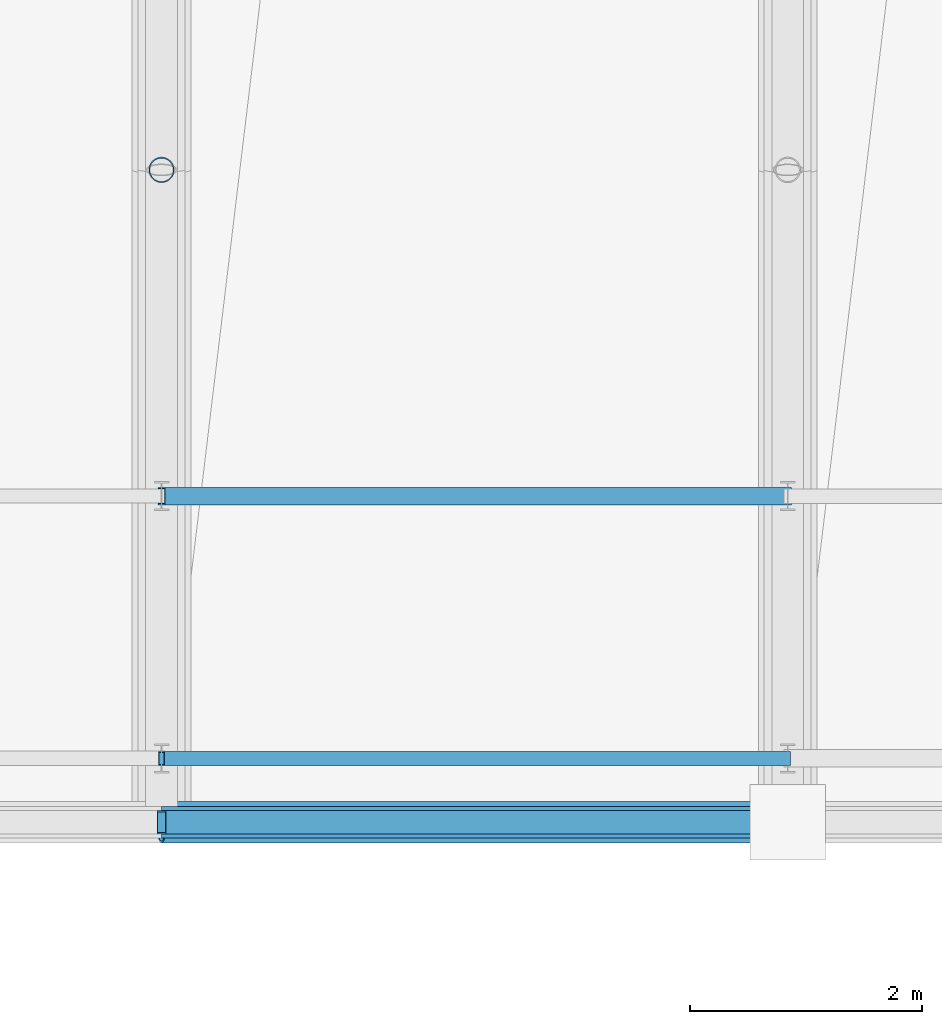
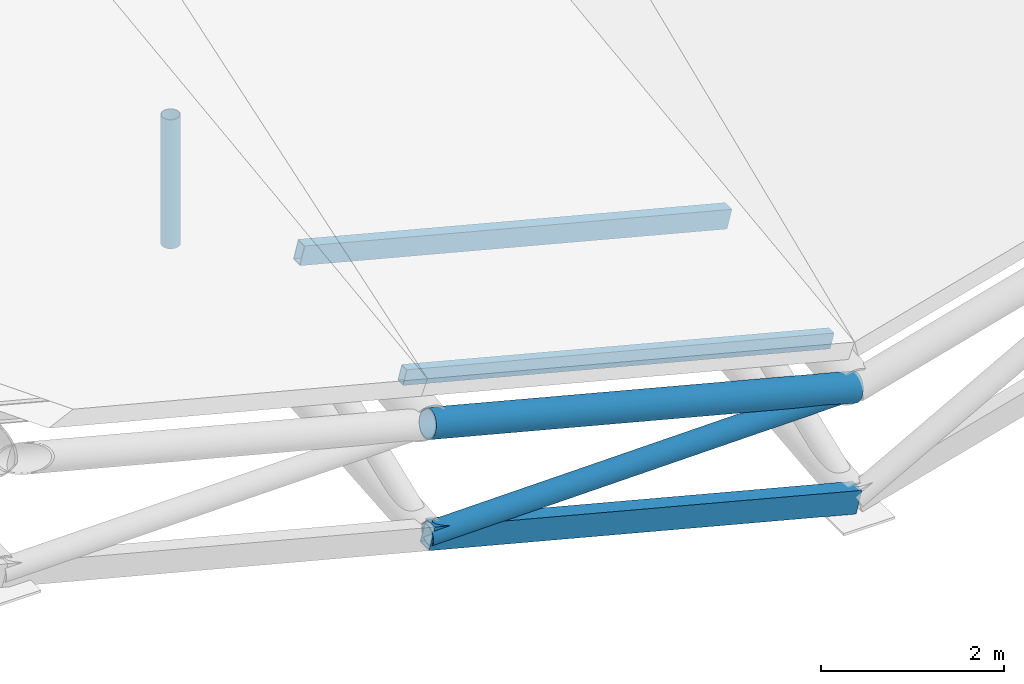
# One storey, part 8 of 109: 6 members.
"""IFC4 building model written with IfcOpenShell, lengths in metres."""

import ifcopenshell
import ifcopenshell.guid

model = None  # the IFC model being written
_history = None  # IfcOwnerHistory: only IFC2X3 demands one
_inside = {}  # id of a spatial element -> (the spatial element, [elements in it])
_under = {}  # id of a project, library or spatial element -> (it, [spatial elements below it])
_declared = {}  # id of a project -> (the project, [libraries it declares])
_typed = {}  # id of a type object -> (the type object, [elements of that type])
_made_of = {}  # id of a material, layer set ... -> (it, [elements and type objects made of it])


def new_model(schema):
    """Start an empty IFC model of exactly this schema.

    Asked for "IFC4X3", IfcOpenShell would pick the latest addendum, in which some entities
    have other attributes; the version numbers below select the first issue.
    IFC2X3 requires an IfcOwnerHistory on every rooted entity: one is made here for all.
    """
    global model, _history
    if schema == "IFC4X3":
        model = ifcopenshell.file(schema_version=(4, 3, 0, 0))
    else:
        model = ifcopenshell.file(schema=schema)
    _inside.clear()
    _under.clear()
    _declared.clear()
    _typed.clear()
    _made_of.clear()
    _history = None
    if model.schema == "IFC2X3":
        org = make("IfcOrganization", Name="unknown")
        user = make(
            "IfcPersonAndOrganization",
            ThePerson=make("IfcPerson", FamilyName="unknown"),
            TheOrganization=org,
        )
        app = make(
            "IfcApplication",
            ApplicationDeveloper=org,
            Version="unknown",
            ApplicationFullName="unknown",
            ApplicationIdentifier="unknown",
        )
        _history = make(
            "IfcOwnerHistory",
            OwningUser=user,
            OwningApplication=app,
            ChangeAction="ADDED",
            CreationDate=0,
        )
    return model


def make(cls, **values):
    """One entity of the class cls with the attributes given. An attribute that is None is left unset."""
    return model.create_entity(
        cls, **{name: value for name, value in values.items() if value is not None}
    )


def rooted(cls, **values):
    """An entity with a GlobalId (a new one), such as an element, a storey or a relation."""
    return make(cls, GlobalId=ifcopenshell.guid.new(), OwnerHistory=_history, **values)


def si_unit(unit_type, name, prefix=None):
    """IfcSIUnit, for example si_unit("LENGTHUNIT", "METRE", prefix="MILLI")."""
    return make("IfcSIUnit", UnitType=unit_type, Prefix=prefix, Name=name)


def assignment(units):
    """IfcUnitAssignment: the units of a project."""
    return None if units is None else make("IfcUnitAssignment", Units=units)


def point(xyz):
    """IfcCartesianPoint."""
    return None if xyz is None else make("IfcCartesianPoint", Coordinates=xyz)


def direction(xyz):
    """IfcDirection."""
    return None if xyz is None else make("IfcDirection", DirectionRatios=xyz)


def frame(location, z_axis=None, x_axis=None):
    """IfcAxis2Placement3D, a coordinate frame: its origin and axes. An axis left out is left unset."""
    return make(
        "IfcAxis2Placement3D",
        Location=point(location),
        Axis=direction(z_axis),
        RefDirection=direction(x_axis),
    )


def frame_2d(location, x_axis=None):
    """IfcAxis2Placement2D, a coordinate frame in the plane: its origin and x axis."""
    return make(
        "IfcAxis2Placement2D", Location=point(location), RefDirection=direction(x_axis)
    )


def origin():
    """The frame at (0, 0, 0) with its axes left unset."""
    return frame((0.0, 0.0, 0.0))


def origin_2d():
    """The frame at (0, 0) in the plane with its x axis left unset."""
    return frame_2d((0.0, 0.0))


def place(relative_to, where):
    """IfcLocalPlacement: puts the frame where relative to a parent placement (None: the world)."""
    return make(
        "IfcLocalPlacement", PlacementRelTo=relative_to, RelativePlacement=where
    )


def context(
    kind, dimensions, precision=None, world=None, true_north=None, identifier=None
):
    """IfcGeometricRepresentationContext, for example the 3D "Model" context."""
    return make(
        "IfcGeometricRepresentationContext",
        ContextIdentifier=identifier,
        ContextType=kind,
        CoordinateSpaceDimension=dimensions,
        Precision=precision,
        WorldCoordinateSystem=world,
        TrueNorth=true_north,
    )


def subcontext(parent, identifier, kind, view, scale=None):
    """IfcGeometricRepresentationSubContext, for example "Body" below "Model"."""
    return make(
        "IfcGeometricRepresentationSubContext",
        ContextIdentifier=identifier,
        ContextType=kind,
        ParentContext=parent,
        TargetScale=scale,
        TargetView=view,
    )


def project(units=None, contexts=None):
    """IfcProject with its units and contexts."""
    return rooted(
        "IfcProject",
        Name="project",
        RepresentationContexts=contexts,
        UnitsInContext=assignment(units),
    )


def spatial(cls, under=None, at=None, **own):
    """A site, building, storey or space (cls), placed at a placement, below another one or the project."""
    s = rooted(cls, ObjectPlacement=at, **own)
    if under is not None:
        _under.setdefault(under.id(), (under, []))[1].append(s)
    return s


def profile(cls, at=None, kind="AREA", **sizes):
    """A parametric profile (cls). Its sizes go by their IFC names, for example OverallWidth=200.0."""
    return make(cls, ProfileType=kind, Position=at, **sizes)


def hollow_rectangle(**sizes):
    """IfcRectangleHollowProfileDef."""
    return profile("IfcRectangleHollowProfileDef", **sizes)


def hollow_circle(**sizes):
    """IfcCircleHollowProfileDef."""
    return profile("IfcCircleHollowProfileDef", **sizes)


def extrude(swept, where, along, depth):
    """IfcExtrudedAreaSolid: the profile swept, set in the frame where, extruded along a direction by depth."""
    return make(
        "IfcExtrudedAreaSolid",
        SweptArea=swept,
        Position=where,
        ExtrudedDirection=direction(along),
        Depth=depth,
    )


def shape(context_of_items, identifier, shape_type, items):
    """IfcShapeRepresentation: the items that make up one representation, for example the "Body"."""
    return make(
        "IfcShapeRepresentation",
        ContextOfItems=context_of_items,
        RepresentationIdentifier=identifier,
        RepresentationType=shape_type,
        Items=items,
    )


def material(Name=None, Category=None):
    """IfcMaterial."""
    return make("IfcMaterial", Name=Name, Category=Category)


def material_profile(
    of_material, cross_section, Name=None, Category=None, Priority=None
):
    """IfcMaterialProfile: a cross section and its material."""
    return make(
        "IfcMaterialProfile",
        Name=Name,
        Material=of_material,
        Profile=cross_section,
        Priority=Priority,
        Category=Category,
    )


def profile_set(profiles, Name=None, composite=None):
    """IfcMaterialProfileSet."""
    return make(
        "IfcMaterialProfileSet",
        Name=Name,
        MaterialProfiles=profiles,
        CompositeProfile=composite,
    )


def made_of(thing, what):
    """Note that an element or type object is made of a material, layer set ...; save() writes the relation."""
    if what is not None:
        _made_of.setdefault(what.id(), (what, []))[1].append(thing)
    return thing


def type_object(cls, material=None, **own):
    """A type object (cls), such as IfcWallType, which elements share."""
    return made_of(rooted(cls, **own), material)


def element(
    cls,
    number,
    at=None,
    inside=None,
    cuts=None,
    type_object=None,
    material=None,
    context=None,
    identifier="Body",
    shape_type=None,
    held_by="IfcProductDefinitionShape",
    body=None,
    shapes=None,
    **own,
):
    """One element of the class cls, such as IfcWall. Its Tag is "e" and its number.

    at: its placement. inside: the storey or other place that contains it. cuts: it is an
    opening in that element (IfcRelVoidsElement). A single representation is given by context,
    identifier, shape_type and body (its items); several are given by shapes. held_by: the class
    of the entity that holds the representations. save() writes the other relations.
    """
    e = rooted(cls, Tag="e%d" % number, ObjectPlacement=at, **own)
    if body is not None:
        shapes = [shape(context, identifier, shape_type, body)]
    if shapes is not None:
        e.Representation = make(held_by, Representations=shapes)
    if inside is not None:
        _inside.setdefault(inside.id(), (inside, []))[1].append(e)
    if cuts is not None:
        rooted(
            "IfcRelVoidsElement", RelatingBuildingElement=cuts, RelatedOpeningElement=e
        )
    if type_object is not None:
        _typed.setdefault(type_object.id(), (type_object, []))[1].append(e)
    return made_of(e, material)


def aggregate(whole, parts):
    """IfcRelAggregates: a whole, such as a stair, and the parts it consists of."""
    return rooted("IfcRelAggregates", RelatingObject=whole, RelatedObjects=parts)


def save(model, path):
    """Write the relations noted so far, then the file.

    IfcRelAggregates (storeys below a building ...), IfcRelContainedInSpatialStructure (elements
    in a storey), IfcRelDefinesByType, IfcRelAssociatesMaterial and IfcRelDeclares: one each for
    every whole, place, type object, material and project.
    """
    for whole, parts in _under.values():
        aggregate(whole, parts)
    for where, things in _inside.values():
        rooted(
            "IfcRelContainedInSpatialStructure",
            RelatedElements=things,
            RelatingStructure=where,
        )
    for kind, things in _typed.values():
        rooted("IfcRelDefinesByType", RelatedObjects=things, RelatingType=kind)
    for what, things in _made_of.values():
        rooted("IfcRelAssociatesMaterial", RelatedObjects=things, RelatingMaterial=what)
    for by, libraries in _declared.values():
        rooted("IfcRelDeclares", RelatingContext=by, RelatedDefinitions=libraries)
    model.write(path)


model = new_model("IFC4")

# Units and contexts
model_context = context("Model", 3, precision=1e-05, world=origin(), true_north=direction((0.0, 1.0)))
body_context = subcontext(model_context, "Body", "Model", "MODEL_VIEW")
ifc_project = project(units=[si_unit("LENGTHUNIT", "METRE"), si_unit("AREAUNIT", "SQUARE_METRE"), si_unit("VOLUMEUNIT", "CUBIC_METRE"), si_unit("PLANEANGLEUNIT", "RADIAN"), si_unit("MASSUNIT", "GRAM", prefix="KILO")], contexts=[model_context])

# Site, building, storey
site_placement = place(None, origin())
site = spatial("IfcSite", under=ifc_project, at=site_placement, CompositionType="ELEMENT")
building_placement = place(site_placement, origin())
building = spatial("IfcBuilding", under=site, at=building_placement, Name="Suirenkawa Promenade Aquatics Centre", CompositionType="ELEMENT")
storey_placement = place(building_placement, frame((0.0, 0.0, 22.800048828125)))
storey = spatial("IfcBuildingStorey", under=building, at=storey_placement, Name="ROOF", CompositionType="ELEMENT", Elevation=22.800048828125)

# Members
ifc_material = material(Name="Steel IS 2062 E350 (Grade 350)", Category="steel")
ifc_material_profile_1 = material_profile(ifc_material, hollow_circle(Radius=0.177978515625, WallThickness=0.01611328125, at=origin_2d()), Name="CHS 356x16", Category="steel")
ifc_profile_set_1 = profile_set([ifc_material_profile_1], Name="Steel IS 2062 E350 (Grade 350)")
member_type_1 = type_object("IfcMemberType", Name="MT-CHORD-CHS356", PredefinedType="CHORD", material=ifc_profile_set_1)
member_1_placement = place(storey_placement, frame((127.800048828125, 50.39990234375, -13.60009765625), z_axis=(0.968000048288, 0.0, -0.250950007997), x_axis=(0.0, 1.0, 0.0)))
element("IfcMember", 1, at=member_1_placement, inside=storey, type_object=member_type_1, Name="ROOF TRUSS V1 eave top chord CH-02 MB-0613", PredefinedType="CHORD", context=body_context, shape_type="SweptSolid", body=[
    extrude(hollow_circle(Radius=0.177978515625, WallThickness=0.01611328125, at=origin_2d()), origin(), (0.0, 0.0, 1.0), 5.578369140625),
])
ifc_material_profile_2 = material_profile(ifc_material, hollow_rectangle(XDim=0.199951171875, YDim=0.300048828125, WallThickness=0.011962890625, at=origin_2d()), Name="RHS 300x200x12", Category="steel")
ifc_profile_set_2 = profile_set([ifc_material_profile_2], Name="Steel IS 2062 E350 (Grade 350)")
member_type_2 = type_object("IfcMemberType", Name="MT-CHORD-RHS300", PredefinedType="CHORD", material=ifc_profile_set_2)
member_2_placement = place(storey_placement, frame((127.800048828125, 50.39990234375, -15.080078125), z_axis=(0.968000048288, 0.0, -0.250950007997), x_axis=(0.0, 1.0, 0.0)))
element("IfcMember", 2, at=member_2_placement, inside=storey, type_object=member_type_2, Name="ROOF TRUSS V1 eave bottom chord CH-03 MB-0614", PredefinedType="CHORD", context=body_context, shape_type="SweptSolid", body=[
    extrude(hollow_rectangle(XDim=0.199951171875, YDim=0.300048828125, WallThickness=0.011962890625, at=origin_2d()), origin(), (0.0, 0.0, 1.0), 5.578369140625),
])
ifc_material_profile_3 = material_profile(ifc_material, hollow_rectangle(XDim=0.1201171875, YDim=0.199951171875, WallThickness=0.008056640625, at=origin_2d()), Name="RHS 200x120x8", Category="steel")
ifc_profile_set_3 = profile_set([ifc_material_profile_3], Name="Steel IS 2062 E350 (Grade 350)")
member_type_3 = type_object("IfcMemberType", Name="MT-PURLIN-RHS200", PredefinedType="PURLIN", material=ifc_profile_set_3)
member_3_placement = place(storey_placement, frame((127.800048828125, 50.949951171875, -13.282958984375), z_axis=(0.967989416096, 0.0, -0.250991016426), x_axis=(0.0, 1.0, 0.0)))
element("IfcMember", 3, at=member_3_placement, inside=storey, type_object=member_type_3, Name="ROOF TRUSS Roof purlin PU-02 MB-2227", PredefinedType="PURLIN", context=body_context, shape_type="SweptSolid", body=[
    extrude(hollow_rectangle(XDim=0.1201171875, YDim=0.199951171875, WallThickness=0.008056640625, at=origin_2d()), origin(), (0.0, 0.0, 1.0), 5.578369140625),
])
ifc_material_profile_4 = material_profile(ifc_material, hollow_rectangle(XDim=0.14990234375, YDim=0.25, WallThickness=0.010009765625, at=origin_2d()), Name="RHS 250x150x10", Category="steel")
ifc_profile_set_4 = profile_set([ifc_material_profile_4], Name="Steel IS 2062 E350 (Grade 350)")
member_type_4 = type_object("IfcMemberType", Name="MT-PURLIN-RHS250", PredefinedType="PURLIN", material=ifc_profile_set_4)
member_4_placement = place(storey_placement, frame((127.800048828125, 53.2119140625, -13.01806640625), z_axis=(0.968000048288, 0.0, -0.250950007997), x_axis=(0.0, 1.0, 0.0)))
element("IfcMember", 4, at=member_4_placement, inside=storey, type_object=member_type_4, Name="ROOF TRUSS Roof purlin PU-03 MB-2229", PredefinedType="PURLIN", context=body_context, shape_type="SweptSolid", body=[
    extrude(hollow_rectangle(XDim=0.14990234375, YDim=0.25, WallThickness=0.010009765625, at=origin_2d()), origin(), (0.0, 0.0, 1.0), 5.578369140625),
])
ifc_material_profile_5 = material_profile(ifc_material, hollow_circle(Radius=0.110107421875, WallThickness=0.010009765625, at=origin_2d()), Name="CHS 220x10", Category="steel")
ifc_profile_set_5 = profile_set([ifc_material_profile_5], Name="Steel IS 2062 E350 (Grade 350)")
member_type_5 = type_object("IfcMemberType", Name="MT-WEB-CHS220", PredefinedType="BRACE", material=ifc_profile_set_5)
member_5_placement = place(storey_placement, frame((127.800048828125, 56.02490234375, -14.59912109375), z_axis=(0.0, 0.0, 1.0), x_axis=(1.0, 0.0, 0.0)))
element("IfcMember", 5, at=member_5_placement, inside=storey, type_object=member_type_5, Name="ROOF TRUSS V1 web post TD-01 MB-0420", PredefinedType="BRACE", context=body_context, shape_type="SweptSolid", body=[
    extrude(hollow_circle(Radius=0.110107421875, WallThickness=0.010009765625, at=origin_2d()), origin(), (0.0, 0.0, 1.0), 1.72412109375),
])
ifc_material_profile_6 = material_profile(ifc_material, hollow_circle(Radius=0.136962890625, WallThickness=0.011962890625, at=origin_2d()), Name="CHS 274x12", Category="steel")
ifc_profile_set_6 = profile_set([ifc_material_profile_6], Name="Steel IS 2062 E350 (Grade 350)")
member_type_6 = type_object("IfcMemberType", Name="MT-WEB-CHS274", PredefinedType="BRACE", material=ifc_profile_set_6)
member_6_placement = place(storey_placement, frame((127.800048828125, 50.39990234375, -15.080078125), z_axis=(0.999890060347, 0.0, 0.014827920237), x_axis=(0.0, 1.0, 0.0)))
element("IfcMember", 6, at=member_6_placement, inside=storey, type_object=member_type_6, Name="ROOF TRUSS V1 eave web diagonal TD-02 MB-0615", PredefinedType="BRACE", context=body_context, shape_type="SweptSolid", body=[
    extrude(hollow_circle(Radius=0.136962890625, WallThickness=0.011962890625, at=origin_2d()), origin(), (0.0, 0.0, 1.0), 5.400390625),
])

save(model, "model.ifc")
